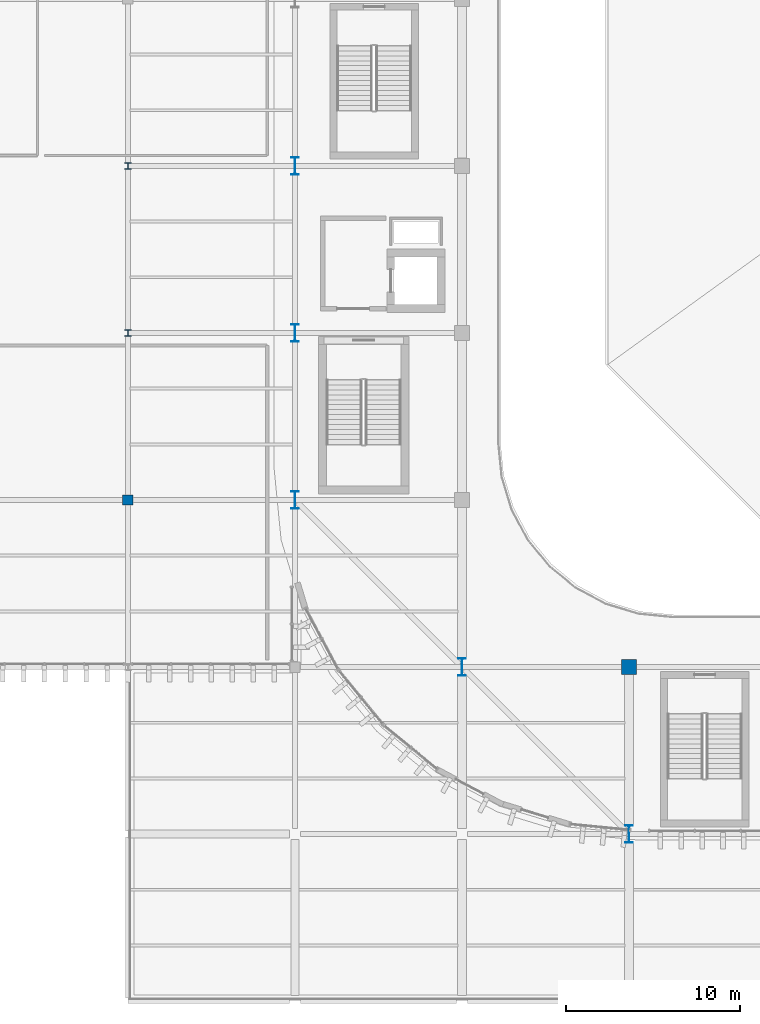
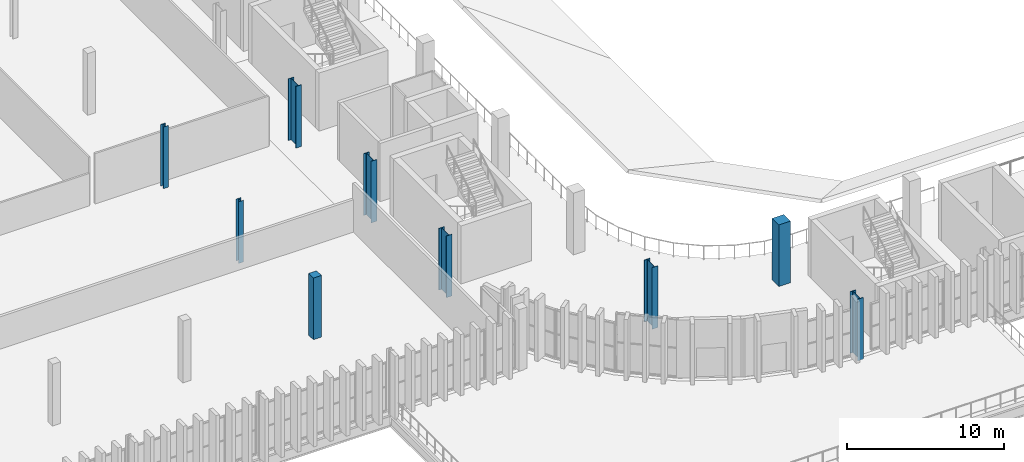
# One storey, part 4 of 99: 9 columns.
"""IFC4 building model written with IfcOpenShell, lengths in metres."""

from ifc_helpers import new_model, si_unit, direction, frame, origin, origin_2d, place, context, subcontext, project, spatial, rectangle, i_section, extrude, material, material_profile, profile_set, type_object, element, save


model = new_model("IFC4")

# Units and contexts
model_context = context("Model", 3, precision=1e-05, world=origin(), true_north=direction((0.0, 1.0)))
body_context = subcontext(model_context, "Body", "Model", "MODEL_VIEW")
ifc_project = project(units=[si_unit("LENGTHUNIT", "METRE"), si_unit("AREAUNIT", "SQUARE_METRE"), si_unit("VOLUMEUNIT", "CUBIC_METRE"), si_unit("PLANEANGLEUNIT", "RADIAN"), si_unit("MASSUNIT", "GRAM", prefix="KILO")], contexts=[model_context])

# Site, building, storey
site_placement = place(None, origin())
site = spatial("IfcSite", under=ifc_project, at=site_placement, CompositionType="ELEMENT")
building_placement = place(site_placement, origin())
building = spatial("IfcBuilding", under=site, at=building_placement, Name="Caelomonte Colonnade Arena", CompositionType="ELEMENT")
storey_placement = place(building_placement, frame((0.0, 0.0, 4.800048828125)))
storey = spatial("IfcBuildingStorey", under=building, at=storey_placement, Name="L01", CompositionType="ELEMENT", Elevation=4.800048828125)

# Columns
ifc_material_1 = material(Name="Concrete C40/50", Category="concrete")
ifc_material_profile_1 = material_profile(ifc_material_1, rectangle(XDim=0.60009765625, YDim=0.60009765625, at=origin_2d()), Name="RC600X600")
ifc_profile_set_1 = profile_set([ifc_material_profile_1], Name="Concrete C40/50")
column_type_1 = type_object("IfcColumnType", Name="STR-COL-RC06", PredefinedType="COLUMN", material=ifc_profile_set_1)
column_1_placement = place(storey_placement, frame((48.0, 38.39990234375, 0.0), z_axis=(0.0, 0.0, 1.0), x_axis=(1.0, 0.0, 0.0)))
element("IfcColumn", 1, at=column_1_placement, inside=storey, type_object=column_type_1, Name="L01 column (48.0, 38.4)", PredefinedType="COLUMN", context=body_context, shape_type="SweptSolid", body=[
    extrude(rectangle(XDim=0.60009765625, YDim=0.60009765625, at=origin_2d()), origin(), (0.0, 0.0, 1.0), 4.800048828125),
])
ifc_material_2 = material(Name="Concrete C50/60", Category="concrete")
ifc_material_profile_2 = material_profile(ifc_material_2, rectangle(XDim=0.85009765625, YDim=0.85009765625, at=origin_2d()), Name="RC850X850")
ifc_profile_set_2 = profile_set([ifc_material_profile_2], Name="Concrete C50/60")
column_type_2 = type_object("IfcColumnType", Name="STR-COL-RC85", PredefinedType="COLUMN", material=ifc_profile_set_2)
column_2_placement = place(storey_placement, frame((76.800048828125, 28.800048828125, 0.0), z_axis=(0.0, 0.0, 1.0), x_axis=(1.0, 0.0, 0.0)))
element("IfcColumn", 2, at=column_2_placement, inside=storey, type_object=column_type_2, Name="L01 column (76.8, 28.8)", PredefinedType="COLUMN", context=body_context, shape_type="SweptSolid", body=[
    extrude(rectangle(XDim=0.85009765625, YDim=0.85009765625, at=origin_2d()), origin(), (0.0, 0.0, 1.0), 4.800048828125),
])
ifc_material_3 = material(Name="Wide-flange steel ASTM A992 Grade 50", Category="steel")
ifc_material_profile_3 = material_profile(ifc_material_3, i_section(OverallWidth=0.368896484375, OverallDepth=0.356201171875, WebThickness=0.01123046875, FlangeThickness=0.01806640625, FilletRadius=0.01513671875, at=origin_2d()), Name="W14X90")
ifc_profile_set_3 = profile_set([ifc_material_profile_3], Name="Wide-flange steel ASTM A992 Grade 50")
column_type_3 = type_object("IfcColumnType", Name="STR-COL-W14B", PredefinedType="COLUMN", material=ifc_profile_set_3)
for number, where, z_axis, x_axis, name in (
    (3, (48.0, 48.0, 0.0), (0.0, 0.0, 1.0), (1.0, 0.0, 0.0), "L01 column (48.0, 48.0)"),
    (4, (48.0, 57.60009765625, 0.0), (0.0, 0.0, 1.0), (1.0, 0.0, 0.0), "L01 column (48.0, 57.6)"),
):
    element("IfcColumn", number, at=place(storey_placement, frame(where, z_axis=z_axis, x_axis=x_axis)), inside=storey, type_object=column_type_3, Name=name, PredefinedType="COLUMN", context=body_context, shape_type="SweptSolid", body=[
        extrude(i_section(OverallWidth=0.368896484375, OverallDepth=0.356201171875, WebThickness=0.01123046875, FlangeThickness=0.01806640625, FilletRadius=0.01513671875, at=origin_2d()), origin(), (0.0, 0.0, 1.0), 4.800048828125),
    ])
ifc_material_profile_4 = material_profile(ifc_material_3, i_section(OverallWidth=0.419189453125, OverallDepth=1.010986328125, WebThickness=0.023681640625, FlangeThickness=0.0419921875, FilletRadius=0.030517578125, at=origin_2d()), Name="W40X297")
ifc_profile_set_4 = profile_set([ifc_material_profile_4], Name="Wide-flange steel ASTM A992 Grade 50")
column_type_4 = type_object("IfcColumnType", Name="STR-COL-W40B", PredefinedType="COLUMN", material=ifc_profile_set_4)
for number, where, z_axis, x_axis, name in (
    (5, (57.60009765625, 38.39990234375, 0.0), (0.0, 0.0, 1.0), (1.0, 0.0, 0.0), "L01 column (57.6, 38.4)"),
    (6, (57.60009765625, 48.0, 0.0), (0.0, 0.0, 1.0), (1.0, 0.0, 0.0), "L01 column (57.6, 48.0)"),
    (7, (57.60009765625, 57.60009765625, 0.0), (0.0, 0.0, 1.0), (1.0, 0.0, 0.0), "L01 column (57.6, 57.6)"),
    (8, (67.199951171875, 28.800048828125, 0.0), (0.0, 0.0, 1.0), (1.0, 0.0, 0.0), "L01 column (67.2, 28.8)"),
    (9, (76.800048828125, 19.199951171875, 0.0), (0.0, 0.0, 1.0), (1.0, 0.0, 0.0), "L01 column (76.8, 19.2)"),
):
    element("IfcColumn", number, at=place(storey_placement, frame(where, z_axis=z_axis, x_axis=x_axis)), inside=storey, type_object=column_type_4, Name=name, PredefinedType="COLUMN", context=body_context, shape_type="SweptSolid", body=[
        extrude(i_section(OverallWidth=0.419189453125, OverallDepth=1.010986328125, WebThickness=0.023681640625, FlangeThickness=0.0419921875, FilletRadius=0.030517578125, at=origin_2d()), origin(), (0.0, 0.0, 1.0), 4.800048828125),
    ])

save(model, "model.ifc")
